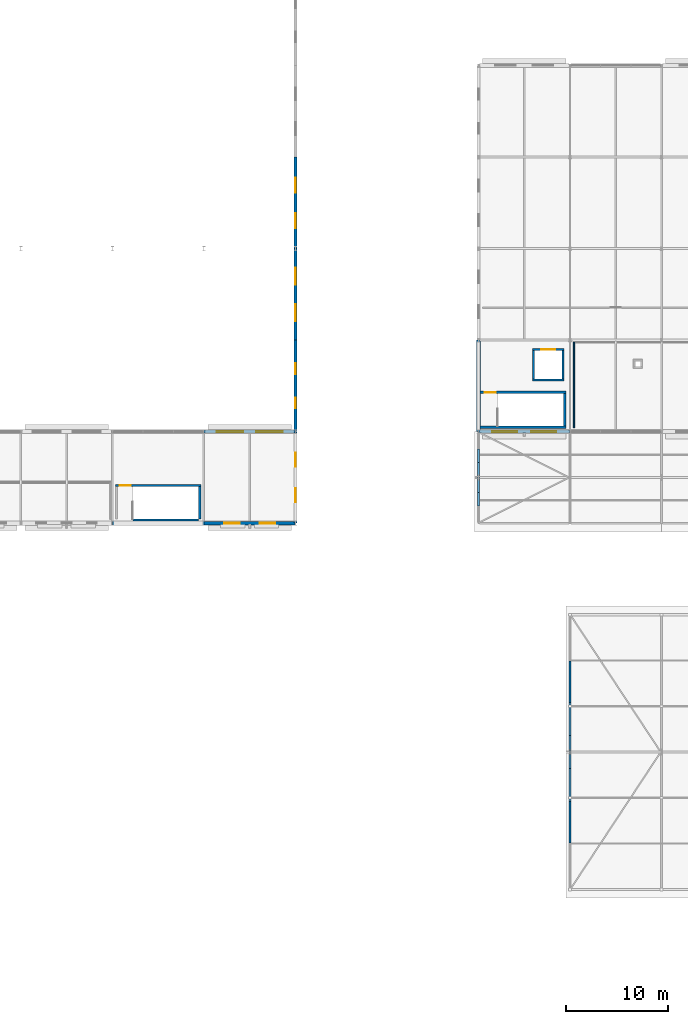
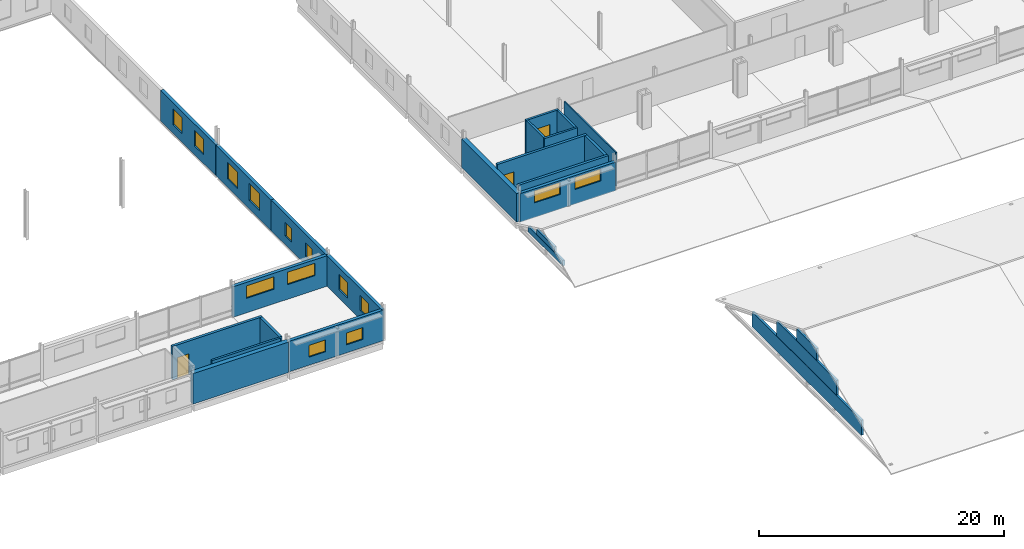
# One storey, part 112 of 132: 25 walls, 14 windows, 3 doors, 17 openings.
"""IFC4 building model written with IfcOpenShell, lengths in metres."""

import ifcopenshell
import ifcopenshell.guid

model = None  # the IFC model being written
_history = None  # IfcOwnerHistory: only IFC2X3 demands one
_inside = {}  # id of a spatial element -> (the spatial element, [elements in it])
_under = {}  # id of a project, library or spatial element -> (it, [spatial elements below it])
_declared = {}  # id of a project -> (the project, [libraries it declares])
_typed = {}  # id of a type object -> (the type object, [elements of that type])
_made_of = {}  # id of a material, layer set ... -> (it, [elements and type objects made of it])


def new_model(schema):
    """Start an empty IFC model of exactly this schema.

    Asked for "IFC4X3", IfcOpenShell would pick the latest addendum, in which some entities
    have other attributes; the version numbers below select the first issue.
    IFC2X3 requires an IfcOwnerHistory on every rooted entity: one is made here for all.
    """
    global model, _history
    if schema == "IFC4X3":
        model = ifcopenshell.file(schema_version=(4, 3, 0, 0))
    else:
        model = ifcopenshell.file(schema=schema)
    _inside.clear()
    _under.clear()
    _declared.clear()
    _typed.clear()
    _made_of.clear()
    _history = None
    if model.schema == "IFC2X3":
        org = make("IfcOrganization", Name="unknown")
        user = make(
            "IfcPersonAndOrganization",
            ThePerson=make("IfcPerson", FamilyName="unknown"),
            TheOrganization=org,
        )
        app = make(
            "IfcApplication",
            ApplicationDeveloper=org,
            Version="unknown",
            ApplicationFullName="unknown",
            ApplicationIdentifier="unknown",
        )
        _history = make(
            "IfcOwnerHistory",
            OwningUser=user,
            OwningApplication=app,
            ChangeAction="ADDED",
            CreationDate=0,
        )
    return model


def make(cls, **values):
    """One entity of the class cls with the attributes given. An attribute that is None is left unset."""
    return model.create_entity(
        cls, **{name: value for name, value in values.items() if value is not None}
    )


def rooted(cls, **values):
    """An entity with a GlobalId (a new one), such as an element, a storey or a relation."""
    return make(cls, GlobalId=ifcopenshell.guid.new(), OwnerHistory=_history, **values)


def si_unit(unit_type, name, prefix=None):
    """IfcSIUnit, for example si_unit("LENGTHUNIT", "METRE", prefix="MILLI")."""
    return make("IfcSIUnit", UnitType=unit_type, Prefix=prefix, Name=name)


def assignment(units):
    """IfcUnitAssignment: the units of a project."""
    return None if units is None else make("IfcUnitAssignment", Units=units)


def point(xyz):
    """IfcCartesianPoint."""
    return None if xyz is None else make("IfcCartesianPoint", Coordinates=xyz)


def direction(xyz):
    """IfcDirection."""
    return None if xyz is None else make("IfcDirection", DirectionRatios=xyz)


def frame(location, z_axis=None, x_axis=None):
    """IfcAxis2Placement3D, a coordinate frame: its origin and axes. An axis left out is left unset."""
    return make(
        "IfcAxis2Placement3D",
        Location=point(location),
        Axis=direction(z_axis),
        RefDirection=direction(x_axis),
    )


def frame_2d(location, x_axis=None):
    """IfcAxis2Placement2D, a coordinate frame in the plane: its origin and x axis."""
    return make(
        "IfcAxis2Placement2D", Location=point(location), RefDirection=direction(x_axis)
    )


def origin():
    """The frame at (0, 0, 0) with its axes left unset."""
    return frame((0.0, 0.0, 0.0))


def place(relative_to, where):
    """IfcLocalPlacement: puts the frame where relative to a parent placement (None: the world)."""
    return make(
        "IfcLocalPlacement", PlacementRelTo=relative_to, RelativePlacement=where
    )


def context(
    kind, dimensions, precision=None, world=None, true_north=None, identifier=None
):
    """IfcGeometricRepresentationContext, for example the 3D "Model" context."""
    return make(
        "IfcGeometricRepresentationContext",
        ContextIdentifier=identifier,
        ContextType=kind,
        CoordinateSpaceDimension=dimensions,
        Precision=precision,
        WorldCoordinateSystem=world,
        TrueNorth=true_north,
    )


def subcontext(parent, identifier, kind, view, scale=None):
    """IfcGeometricRepresentationSubContext, for example "Body" below "Model"."""
    return make(
        "IfcGeometricRepresentationSubContext",
        ContextIdentifier=identifier,
        ContextType=kind,
        ParentContext=parent,
        TargetScale=scale,
        TargetView=view,
    )


def project(units=None, contexts=None):
    """IfcProject with its units and contexts."""
    return rooted(
        "IfcProject",
        Name="project",
        RepresentationContexts=contexts,
        UnitsInContext=assignment(units),
    )


def spatial(cls, under=None, at=None, **own):
    """A site, building, storey or space (cls), placed at a placement, below another one or the project."""
    s = rooted(cls, ObjectPlacement=at, **own)
    if under is not None:
        _under.setdefault(under.id(), (under, []))[1].append(s)
    return s


def profile(cls, at=None, kind="AREA", **sizes):
    """A parametric profile (cls). Its sizes go by their IFC names, for example OverallWidth=200.0."""
    return make(cls, ProfileType=kind, Position=at, **sizes)


def rectangle(**sizes):
    """IfcRectangleProfileDef."""
    return profile("IfcRectangleProfileDef", **sizes)


def extrude(swept, where, along, depth):
    """IfcExtrudedAreaSolid: the profile swept, set in the frame where, extruded along a direction by depth."""
    return make(
        "IfcExtrudedAreaSolid",
        SweptArea=swept,
        Position=where,
        ExtrudedDirection=direction(along),
        Depth=depth,
    )


def shape(context_of_items, identifier, shape_type, items):
    """IfcShapeRepresentation: the items that make up one representation, for example the "Body"."""
    return make(
        "IfcShapeRepresentation",
        ContextOfItems=context_of_items,
        RepresentationIdentifier=identifier,
        RepresentationType=shape_type,
        Items=items,
    )


def material(Name=None, Category=None):
    """IfcMaterial."""
    return make("IfcMaterial", Name=Name, Category=Category)


def layer(
    of_material, thickness, ventilated=None, Name=None, Category=None, Priority=None
):
    """IfcMaterialLayer: one layer of a wall or slab, of a material (None: an air gap)."""
    return make(
        "IfcMaterialLayer",
        Material=of_material,
        LayerThickness=thickness,
        IsVentilated=ventilated,
        Name=Name,
        Category=Category,
        Priority=Priority,
    )


def layer_set(layers, Name=None):
    """IfcMaterialLayerSet."""
    return make("IfcMaterialLayerSet", MaterialLayers=layers, LayerSetName=Name)


def made_of(thing, what):
    """Note that an element or type object is made of a material, layer set ...; save() writes the relation."""
    if what is not None:
        _made_of.setdefault(what.id(), (what, []))[1].append(thing)
    return thing


def type_object(cls, material=None, **own):
    """A type object (cls), such as IfcWallType, which elements share."""
    return made_of(rooted(cls, **own), material)


def element(
    cls,
    number,
    at=None,
    inside=None,
    cuts=None,
    type_object=None,
    material=None,
    context=None,
    identifier="Body",
    shape_type=None,
    held_by="IfcProductDefinitionShape",
    body=None,
    shapes=None,
    **own,
):
    """One element of the class cls, such as IfcWall. Its Tag is "e" and its number.

    at: its placement. inside: the storey or other place that contains it. cuts: it is an
    opening in that element (IfcRelVoidsElement). A single representation is given by context,
    identifier, shape_type and body (its items); several are given by shapes. held_by: the class
    of the entity that holds the representations. save() writes the other relations.
    """
    e = rooted(cls, Tag="e%d" % number, ObjectPlacement=at, **own)
    if body is not None:
        shapes = [shape(context, identifier, shape_type, body)]
    if shapes is not None:
        e.Representation = make(held_by, Representations=shapes)
    if inside is not None:
        _inside.setdefault(inside.id(), (inside, []))[1].append(e)
    if cuts is not None:
        rooted(
            "IfcRelVoidsElement", RelatingBuildingElement=cuts, RelatedOpeningElement=e
        )
    if type_object is not None:
        _typed.setdefault(type_object.id(), (type_object, []))[1].append(e)
    return made_of(e, material)


def fill(opening, filler):
    """IfcRelFillsElement: the door or window that sits in an opening."""
    return rooted(
        "IfcRelFillsElement",
        RelatingOpeningElement=opening,
        RelatedBuildingElement=filler,
    )


def aggregate(whole, parts):
    """IfcRelAggregates: a whole, such as a stair, and the parts it consists of."""
    return rooted("IfcRelAggregates", RelatingObject=whole, RelatedObjects=parts)


def save(model, path):
    """Write the relations noted so far, then the file.

    IfcRelAggregates (storeys below a building ...), IfcRelContainedInSpatialStructure (elements
    in a storey), IfcRelDefinesByType, IfcRelAssociatesMaterial and IfcRelDeclares: one each for
    every whole, place, type object, material and project.
    """
    for whole, parts in _under.values():
        aggregate(whole, parts)
    for where, things in _inside.values():
        rooted(
            "IfcRelContainedInSpatialStructure",
            RelatedElements=things,
            RelatingStructure=where,
        )
    for kind, things in _typed.values():
        rooted("IfcRelDefinesByType", RelatedObjects=things, RelatingType=kind)
    for what, things in _made_of.values():
        rooted("IfcRelAssociatesMaterial", RelatedObjects=things, RelatingMaterial=what)
    for by, libraries in _declared.values():
        rooted("IfcRelDeclares", RelatingContext=by, RelatedDefinitions=libraries)
    model.write(path)


model = new_model("IFC4")

# Units and contexts
model_context = context("Model", 3, precision=1e-05, world=origin(), true_north=direction((0.0, 1.0)))
body_context = subcontext(model_context, "Body", "Model", "MODEL_VIEW")
ifc_project = project(units=[si_unit("LENGTHUNIT", "METRE"), si_unit("AREAUNIT", "SQUARE_METRE"), si_unit("VOLUMEUNIT", "CUBIC_METRE"), si_unit("PLANEANGLEUNIT", "RADIAN"), si_unit("MASSUNIT", "GRAM", prefix="KILO")], contexts=[model_context])

# Site, building, storey
site_placement = place(None, origin())
site = spatial("IfcSite", under=ifc_project, at=site_placement, CompositionType="ELEMENT")
building_placement = place(site_placement, origin())
building = spatial("IfcBuilding", under=site, at=building_placement, Name="Tharagai Park Tramway Depot", CompositionType="ELEMENT")
storey_placement = place(building_placement, frame((0.0, 0.0, 4.800048828125)))
storey = spatial("IfcBuildingStorey", under=building, at=storey_placement, Name="L01", CompositionType="ELEMENT", Elevation=4.800048828125)

# Walls
ifc_material_1 = material(Name="Charnockite stone", Category="masonry")
ifc_layer_1 = layer(ifc_material_1, 0.419921875)
ifc_layer_set_1 = layer_set([ifc_layer_1], Name="Charnockite stone")
wall_type_1 = type_object("IfcWallType", Name="EW-07", PredefinedType="SOLIDWALL", material=ifc_layer_set_1)
wall_1_placement = place(storey_placement, frame((126.00390625, 90.0, 0.0), z_axis=(0.0, 0.0, 1.0), x_axis=(1.0, 0.0, 0.0)))
element("IfcWall", 1, at=wall_1_placement, inside=storey, type_object=wall_type_1, Name="L01 V1 Exterior Masonry Wall EW-07", PredefinedType="SOLIDWALL", context=body_context, shape_type="SweptSolid", body=[
    extrude(rectangle(XDim=8.9921875, YDim=0.419921875, at=frame_2d((4.49609375, 0.0))), origin(), (0.0, 0.0, 1.0), 3.0419921875),
])
wall_2_placement = place(storey_placement, frame((162.0, 99.00390625, 0.0), z_axis=(0.0, 0.0, 1.0), x_axis=(0.0, 1.0, 0.0)))
element("IfcWall", 2, at=wall_2_placement, inside=storey, type_object=wall_type_1, Name="L01 V3 Exterior Masonry Wall EW-07", PredefinedType="SOLIDWALL", context=body_context, shape_type="SweptSolid", body=[
    extrude(rectangle(XDim=8.9921875, YDim=0.419921875, at=frame_2d((4.49609375, 0.0))), origin(), (0.0, 0.0, 1.0), 2.842041015625),
])

# Wall, openings, windows
ifc_material_2 = material(Name="Pressed clay brick", Category="masonry")
ifc_layer_2 = layer(ifc_material_2, 0.300048828125)
ifc_layer_set_2 = layer_set([ifc_layer_2], Name="Pressed clay brick")
wall_type_2 = type_object("IfcWallType", Name="EW-08", PredefinedType="SOLIDWALL", material=ifc_layer_set_2)
wall_3_placement = place(storey_placement, frame((135.00390625, 90.0, 0.0), z_axis=(0.0, 0.0, 1.0), x_axis=(1.0, 0.0, 0.0)))
wall_3 = element("IfcWall", 3, at=wall_3_placement, inside=storey, type_object=wall_type_2, Name="L01 V1 Exterior Masonry Wall EW-08", PredefinedType="SOLIDWALL", context=body_context, shape_type="SweptSolid", body=[
    extrude(rectangle(XDim=8.9921875, YDim=0.300048828125, at=frame_2d((4.49609375, 0.0))), origin(), (0.0, 0.0, 1.0), 3.0419921875),
])
opening_1_placement = place(wall_3_placement, frame((1.970947265625, 0.0, 0.800048828125)))
opening_1 = element("IfcOpeningElement", 4, at=opening_1_placement, cuts=wall_3, Name="Opening WN-07", PredefinedType="OPENING", context=body_context, shape_type="SweptSolid", body=[
    extrude(rectangle(XDim=1.5400390625, YDim=1.179931640625, at=frame_2d((0.77001953125, 0.58984375))), frame((0.0, 0.159912109375, 0.0), z_axis=(0.0, -1.0, 0.0), x_axis=(1.0, 0.0, 0.0)), (0.0, 0.0, 1.0), 0.320068359375),
])
opening_2_placement = place(wall_3_placement, frame((5.48095703125, 0.0, 0.800048828125)))
opening_2 = element("IfcOpeningElement", 5, at=opening_2_placement, cuts=wall_3, Name="Opening WN-07", PredefinedType="OPENING", context=body_context, shape_type="SweptSolid", body=[
    extrude(rectangle(XDim=1.5400390625, YDim=1.179931640625, at=frame_2d((0.77001953125, 0.58984375))), frame((0.0, 0.159912109375, 0.0), z_axis=(0.0, -1.0, 0.0), x_axis=(1.0, 0.0, 0.0)), (0.0, 0.0, 1.0), 0.320068359375),
])
ifc_material_3 = material(Name="Laminated solar-control glass", Category="glass")
window_type_1 = type_object("IfcWindowType", Name="WN-07", PartitioningType="SINGLE_PANEL", PredefinedType="WINDOW", material=ifc_material_3)
window_1_placement = place(opening_1_placement, origin())
window_1 = element("IfcWindow", 6, at=window_1_placement, inside=storey, type_object=window_type_1, Name="L01 V1 Gothic Lancet Window WN-07", OverallHeight=1.179931640625, OverallWidth=1.5400390625, PartitioningType="SINGLE_PANEL", PredefinedType="WINDOW", context=body_context, shape_type="SweptSolid", body=[
    extrude(rectangle(XDim=1.5400390625, YDim=1.179931640625, at=frame_2d((0.77001953125, 0.58984375))), frame((0.0, 0.030029296875, 0.0), z_axis=(0.0, -1.0, 0.0), x_axis=(1.0, 0.0, 0.0)), (0.0, 0.0, 1.0), 0.06005859375),
])
fill(opening_1, window_1)
window_2_placement = place(opening_2_placement, origin())
window_2 = element("IfcWindow", 7, at=window_2_placement, inside=storey, type_object=window_type_1, Name="L01 V1 Gothic Lancet Window WN-07", OverallHeight=1.179931640625, OverallWidth=1.5400390625, PartitioningType="SINGLE_PANEL", PredefinedType="WINDOW", context=body_context, shape_type="SweptSolid", body=[
    extrude(rectangle(XDim=1.5400390625, YDim=1.179931640625, at=frame_2d((0.77001953125, 0.58984375))), frame((0.0, 0.030029296875, 0.0), z_axis=(0.0, -1.0, 0.0), x_axis=(1.0, 0.0, 0.0)), (0.0, 0.0, 1.0), 0.06005859375),
])
fill(opening_2, window_2)

wall_4_placement = place(storey_placement, frame((135.00390625, 99.0, 0.0), z_axis=(0.0, 0.0, 1.0), x_axis=(1.0, 0.0, 0.0)))
wall_4 = element("IfcWall", 8, at=wall_4_placement, inside=storey, type_object=wall_type_2, Name="L01 V1 Exterior Masonry Wall EW-08", PredefinedType="SOLIDWALL", context=body_context, shape_type="SweptSolid", body=[
    extrude(rectangle(XDim=8.9921875, YDim=0.300048828125, at=frame_2d((4.49609375, 0.0))), origin(), (0.0, 0.0, 1.0), 3.0419921875),
])
opening_3_placement = place(wall_4_placement, frame((1.263916015625, 0.0, 1.449951171875)))
opening_3 = element("IfcOpeningElement", 9, at=opening_3_placement, cuts=wall_4, Name="Opening WN-26", PredefinedType="OPENING", context=body_context, shape_type="SweptSolid", body=[
    extrude(rectangle(XDim=2.60009765625, YDim=1.239990234375, at=frame_2d((1.300048828125, 0.6201171875))), frame((0.0, 0.159912109375, 0.0), z_axis=(0.0, -1.0, 0.0), x_axis=(1.0, 0.0, 0.0)), (0.0, 0.0, 1.0), 0.320068359375),
])
opening_4_placement = place(wall_4_placement, frame((5.1279296875, 0.0, 1.449951171875)))
opening_4 = element("IfcOpeningElement", 10, at=opening_4_placement, cuts=wall_4, Name="Opening WN-26", PredefinedType="OPENING", context=body_context, shape_type="SweptSolid", body=[
    extrude(rectangle(XDim=2.60009765625, YDim=1.239990234375, at=frame_2d((1.300048828125, 0.6201171875))), frame((0.0, 0.159912109375, 0.0), z_axis=(0.0, -1.0, 0.0), x_axis=(1.0, 0.0, 0.0)), (0.0, 0.0, 1.0), 0.320068359375),
])
window_type_2 = type_object("IfcWindowType", Name="WN-26", PartitioningType="SINGLE_PANEL", PredefinedType="WINDOW", material=ifc_material_3)
window_3_placement = place(opening_3_placement, origin())
window_3 = element("IfcWindow", 11, at=window_3_placement, inside=storey, type_object=window_type_2, Name="L01 V1 Gothic Lancet Window WN-26", OverallHeight=1.239990234375, OverallWidth=2.60009765625, PartitioningType="SINGLE_PANEL", PredefinedType="WINDOW", context=body_context, shape_type="SweptSolid", body=[
    extrude(rectangle(XDim=2.60009765625, YDim=1.239990234375, at=frame_2d((1.300048828125, 0.6201171875))), frame((0.0, 0.030029296875, 0.0), z_axis=(0.0, -1.0, 0.0), x_axis=(1.0, 0.0, 0.0)), (0.0, 0.0, 1.0), 0.06005859375),
])
fill(opening_3, window_3)
window_4_placement = place(opening_4_placement, origin())
window_4 = element("IfcWindow", 12, at=window_4_placement, inside=storey, type_object=window_type_2, Name="L01 V1 Gothic Lancet Window WN-26", OverallHeight=1.239990234375, OverallWidth=2.60009765625, PartitioningType="SINGLE_PANEL", PredefinedType="WINDOW", context=body_context, shape_type="SweptSolid", body=[
    extrude(rectangle(XDim=2.60009765625, YDim=1.239990234375, at=frame_2d((1.300048828125, 0.6201171875))), frame((0.0, 0.030029296875, 0.0), z_axis=(0.0, -1.0, 0.0), x_axis=(1.0, 0.0, 0.0)), (0.0, 0.0, 1.0), 0.06005859375),
])
fill(opening_4, window_4)

wall_5_placement = place(storey_placement, frame((162.00390625, 99.0, 0.0), z_axis=(0.0, 0.0, 1.0), x_axis=(1.0, 0.0, 0.0)))
wall_5 = element("IfcWall", 13, at=wall_5_placement, inside=storey, type_object=wall_type_2, Name="L01 V3 Exterior Masonry Wall EW-08", PredefinedType="SOLIDWALL", context=body_context, shape_type="SweptSolid", body=[
    extrude(rectangle(XDim=8.9921875, YDim=0.300048828125, at=frame_2d((4.49609375, 0.0))), origin(), (0.0, 0.0, 1.0), 2.842041015625),
])
opening_5_placement = place(wall_5_placement, frame((1.364013671875, 0.0, 1.449951171875)))
opening_5 = element("IfcOpeningElement", 14, at=opening_5_placement, cuts=wall_5, Name="Opening WN-02", PredefinedType="OPENING", context=body_context, shape_type="SweptSolid", body=[
    extrude(rectangle(XDim=2.449951171875, YDim=1.199951171875, at=frame_2d((1.22509765625, 0.60009765625))), frame((0.0, 0.159912109375, 0.0), z_axis=(0.0, -1.0, 0.0), x_axis=(1.0, 0.0, 0.0)), (0.0, 0.0, 1.0), 0.320068359375),
])
opening_6_placement = place(wall_5_placement, frame((5.177978515625, 0.0, 1.449951171875)))
opening_6 = element("IfcOpeningElement", 15, at=opening_6_placement, cuts=wall_5, Name="Opening WN-02", PredefinedType="OPENING", context=body_context, shape_type="SweptSolid", body=[
    extrude(rectangle(XDim=2.449951171875, YDim=1.199951171875, at=frame_2d((1.22509765625, 0.60009765625))), frame((0.0, 0.159912109375, 0.0), z_axis=(0.0, -1.0, 0.0), x_axis=(1.0, 0.0, 0.0)), (0.0, 0.0, 1.0), 0.320068359375),
])
window_type_3 = type_object("IfcWindowType", Name="WN-02", PartitioningType="SINGLE_PANEL", PredefinedType="WINDOW", material=ifc_material_3)
window_5_placement = place(opening_5_placement, origin())
window_5 = element("IfcWindow", 16, at=window_5_placement, inside=storey, type_object=window_type_3, Name="L01 V3 Gothic Lancet Window WN-02", OverallHeight=1.199951171875, OverallWidth=2.449951171875, PartitioningType="SINGLE_PANEL", PredefinedType="WINDOW", context=body_context, shape_type="SweptSolid", body=[
    extrude(rectangle(XDim=2.449951171875, YDim=1.199951171875, at=frame_2d((1.22509765625, 0.60009765625))), frame((0.0, 0.030029296875, 0.0), z_axis=(0.0, -1.0, 0.0), x_axis=(1.0, 0.0, 0.0)), (0.0, 0.0, 1.0), 0.06005859375),
])
fill(opening_5, window_5)
window_6_placement = place(opening_6_placement, origin())
window_6 = element("IfcWindow", 17, at=window_6_placement, inside=storey, type_object=window_type_3, Name="L01 V3 Gothic Lancet Window WN-02", OverallHeight=1.199951171875, OverallWidth=2.449951171875, PartitioningType="SINGLE_PANEL", PredefinedType="WINDOW", context=body_context, shape_type="SweptSolid", body=[
    extrude(rectangle(XDim=2.449951171875, YDim=1.199951171875, at=frame_2d((1.22509765625, 0.60009765625))), frame((0.0, 0.030029296875, 0.0), z_axis=(0.0, -1.0, 0.0), x_axis=(1.0, 0.0, 0.0)), (0.0, 0.0, 1.0), 0.06005859375),
])
fill(opening_6, window_6)

wall_6_placement = place(storey_placement, frame((144.0, 90.00390625, 0.0), z_axis=(0.0, 0.0, 1.0), x_axis=(0.0, 1.0, 0.0)))
wall_6 = element("IfcWall", 18, at=wall_6_placement, inside=storey, type_object=wall_type_2, Name="L01 V1 Exterior Masonry Wall EW-08", PredefinedType="SOLIDWALL", context=body_context, shape_type="SweptSolid", body=[
    extrude(rectangle(XDim=8.9921875, YDim=0.300048828125, at=frame_2d((4.49609375, 0.0))), origin(), (0.0, 0.0, 1.0), 3.0419921875),
])
opening_7_placement = place(wall_6_placement, frame((2.076904296875, 0.0, 0.85009765625)))
opening_7 = element("IfcOpeningElement", 19, at=opening_7_placement, cuts=wall_6, Name="Opening WN-12", PredefinedType="OPENING", context=body_context, shape_type="SweptSolid", body=[
    extrude(rectangle(XDim=1.3798828125, YDim=1.52001953125, at=frame_2d((0.68994140625, 0.760009765625))), frame((0.0, 0.159912109375, 0.0), z_axis=(0.0, -1.0, 0.0), x_axis=(1.0, 0.0, 0.0)), (0.0, 0.0, 1.0), 0.320068359375),
])
opening_8_placement = place(wall_6_placement, frame((5.534912109375, 0.0, 0.85009765625)))
opening_8 = element("IfcOpeningElement", 20, at=opening_8_placement, cuts=wall_6, Name="Opening WN-12", PredefinedType="OPENING", context=body_context, shape_type="SweptSolid", body=[
    extrude(rectangle(XDim=1.3798828125, YDim=1.52001953125, at=frame_2d((0.68994140625, 0.760009765625))), frame((0.0, 0.159912109375, 0.0), z_axis=(0.0, -1.0, 0.0), x_axis=(1.0, 0.0, 0.0)), (0.0, 0.0, 1.0), 0.320068359375),
])
window_type_4 = type_object("IfcWindowType", Name="WN-12", PartitioningType="SINGLE_PANEL", PredefinedType="WINDOW", material=ifc_material_3)
window_7_placement = place(opening_7_placement, origin())
window_7 = element("IfcWindow", 21, at=window_7_placement, inside=storey, type_object=window_type_4, Name="L01 V1 Side Lancet Window WN-12", OverallHeight=1.52001953125, OverallWidth=1.3798828125, PartitioningType="SINGLE_PANEL", PredefinedType="WINDOW", context=body_context, shape_type="SweptSolid", body=[
    extrude(rectangle(XDim=1.3798828125, YDim=1.52001953125, at=frame_2d((0.68994140625, 0.760009765625))), frame((0.0, 0.030029296875, 0.0), z_axis=(0.0, -1.0, 0.0), x_axis=(1.0, 0.0, 0.0)), (0.0, 0.0, 1.0), 0.06005859375),
])
fill(opening_7, window_7)
window_8_placement = place(opening_8_placement, origin())
window_8 = element("IfcWindow", 22, at=window_8_placement, inside=storey, type_object=window_type_4, Name="L01 V1 Side Lancet Window WN-12", OverallHeight=1.52001953125, OverallWidth=1.3798828125, PartitioningType="SINGLE_PANEL", PredefinedType="WINDOW", context=body_context, shape_type="SweptSolid", body=[
    extrude(rectangle(XDim=1.3798828125, YDim=1.52001953125, at=frame_2d((0.68994140625, 0.760009765625))), frame((0.0, 0.030029296875, 0.0), z_axis=(0.0, -1.0, 0.0), x_axis=(1.0, 0.0, 0.0)), (0.0, 0.0, 1.0), 0.06005859375),
])
fill(opening_8, window_8)

wall_7_placement = place(storey_placement, frame((144.0, 99.00390625, 0.0), z_axis=(0.0, 0.0, 1.0), x_axis=(0.0, 1.0, 0.0)))
wall_7 = element("IfcWall", 23, at=wall_7_placement, inside=storey, type_object=wall_type_2, Name="L01 V1 Exterior Masonry Wall EW-08", PredefinedType="SOLIDWALL", context=body_context, shape_type="SweptSolid", body=[
    extrude(rectangle(XDim=8.99609375, YDim=0.300048828125, at=frame_2d((4.498046875, 0.0))), origin(), (0.0, 0.0, 1.0), 3.0419921875),
])
opening_9_placement = place(wall_7_placement, frame((2.2919921875, 0.0, 0.85009765625)))
opening_9 = element("IfcOpeningElement", 24, at=opening_9_placement, cuts=wall_7, Name="Opening WN-54", PredefinedType="OPENING", context=body_context, shape_type="SweptSolid", body=[
    extrude(rectangle(XDim=1.06005859375, YDim=1.35009765625, at=frame_2d((0.530029296875, 0.675048828125))), frame((0.0, 0.159912109375, 0.0), z_axis=(0.0, -1.0, 0.0), x_axis=(1.0, 0.0, 0.0)), (0.0, 0.0, 1.0), 0.320068359375),
])
opening_10_placement = place(wall_7_placement, frame((5.64404296875, 0.0, 0.85009765625)))
opening_10 = element("IfcOpeningElement", 25, at=opening_10_placement, cuts=wall_7, Name="Opening WN-54", PredefinedType="OPENING", context=body_context, shape_type="SweptSolid", body=[
    extrude(rectangle(XDim=1.06005859375, YDim=1.35009765625, at=frame_2d((0.530029296875, 0.675048828125))), frame((0.0, 0.159912109375, 0.0), z_axis=(0.0, -1.0, 0.0), x_axis=(1.0, 0.0, 0.0)), (0.0, 0.0, 1.0), 0.320068359375),
])
window_type_5 = type_object("IfcWindowType", Name="WN-54", PartitioningType="SINGLE_PANEL", PredefinedType="WINDOW", material=ifc_material_3)
window_9_placement = place(opening_9_placement, origin())
window_9 = element("IfcWindow", 26, at=window_9_placement, inside=storey, type_object=window_type_5, Name="L01 V1 Side Lancet Window WN-54", OverallHeight=1.35009765625, OverallWidth=1.06005859375, PartitioningType="SINGLE_PANEL", PredefinedType="WINDOW", context=body_context, shape_type="SweptSolid", body=[
    extrude(rectangle(XDim=1.06005859375, YDim=1.35009765625, at=frame_2d((0.530029296875, 0.675048828125))), frame((0.0, 0.030029296875, 0.0), z_axis=(0.0, -1.0, 0.0), x_axis=(1.0, 0.0, 0.0)), (0.0, 0.0, 1.0), 0.06005859375),
])
fill(opening_9, window_9)
window_10_placement = place(opening_10_placement, origin())
window_10 = element("IfcWindow", 27, at=window_10_placement, inside=storey, type_object=window_type_5, Name="L01 V1 Side Lancet Window WN-54", OverallHeight=1.35009765625, OverallWidth=1.06005859375, PartitioningType="SINGLE_PANEL", PredefinedType="WINDOW", context=body_context, shape_type="SweptSolid", body=[
    extrude(rectangle(XDim=1.06005859375, YDim=1.35009765625, at=frame_2d((0.530029296875, 0.675048828125))), frame((0.0, 0.030029296875, 0.0), z_axis=(0.0, -1.0, 0.0), x_axis=(1.0, 0.0, 0.0)), (0.0, 0.0, 1.0), 0.06005859375),
])
fill(opening_10, window_10)

wall_8_placement = place(storey_placement, frame((144.0, 108.0, 0.0), z_axis=(0.0, 0.0, 1.0), x_axis=(0.0, 1.0, 0.0)))
wall_8 = element("IfcWall", 28, at=wall_8_placement, inside=storey, type_object=wall_type_2, Name="L01 V1 Exterior Masonry Wall EW-08", PredefinedType="SOLIDWALL", context=body_context, shape_type="SweptSolid", body=[
    extrude(rectangle(XDim=8.99609375, YDim=0.300048828125, at=frame_2d((4.498046875, 0.0))), origin(), (0.0, 0.0, 1.0), 3.0419921875),
])
opening_11_placement = place(wall_8_placement, frame((1.87890625, 0.0, 0.85009765625)))
opening_11 = element("IfcOpeningElement", 29, at=opening_11_placement, cuts=wall_8, Name="Opening WN-38", PredefinedType="OPENING", context=body_context, shape_type="SweptSolid", body=[
    extrude(rectangle(XDim=1.679931640625, YDim=1.659912109375, at=frame_2d((0.83984375, 0.830078125))), frame((0.0, 0.159912109375, 0.0), z_axis=(0.0, -1.0, 0.0), x_axis=(1.0, 0.0, 0.0)), (0.0, 0.0, 1.0), 0.320068359375),
])
opening_12_placement = place(wall_8_placement, frame((5.43701171875, 0.0, 0.85009765625)))
opening_12 = element("IfcOpeningElement", 30, at=opening_12_placement, cuts=wall_8, Name="Opening WN-38", PredefinedType="OPENING", context=body_context, shape_type="SweptSolid", body=[
    extrude(rectangle(XDim=1.679931640625, YDim=1.659912109375, at=frame_2d((0.83984375, 0.830078125))), frame((0.0, 0.159912109375, 0.0), z_axis=(0.0, -1.0, 0.0), x_axis=(1.0, 0.0, 0.0)), (0.0, 0.0, 1.0), 0.320068359375),
])
window_type_6 = type_object("IfcWindowType", Name="WN-38", PartitioningType="SINGLE_PANEL", PredefinedType="WINDOW", material=ifc_material_3)
window_11_placement = place(opening_11_placement, origin())
window_11 = element("IfcWindow", 31, at=window_11_placement, inside=storey, type_object=window_type_6, Name="L01 V1 Side Lancet Window WN-38", OverallHeight=1.659912109375, OverallWidth=1.679931640625, PartitioningType="SINGLE_PANEL", PredefinedType="WINDOW", context=body_context, shape_type="SweptSolid", body=[
    extrude(rectangle(XDim=1.679931640625, YDim=1.659912109375, at=frame_2d((0.83984375, 0.830078125))), frame((0.0, 0.030029296875, 0.0), z_axis=(0.0, -1.0, 0.0), x_axis=(1.0, 0.0, 0.0)), (0.0, 0.0, 1.0), 0.06005859375),
])
fill(opening_11, window_11)
window_12_placement = place(opening_12_placement, origin())
window_12 = element("IfcWindow", 32, at=window_12_placement, inside=storey, type_object=window_type_6, Name="L01 V1 Side Lancet Window WN-38", OverallHeight=1.659912109375, OverallWidth=1.679931640625, PartitioningType="SINGLE_PANEL", PredefinedType="WINDOW", context=body_context, shape_type="SweptSolid", body=[
    extrude(rectangle(XDim=1.679931640625, YDim=1.659912109375, at=frame_2d((0.83984375, 0.830078125))), frame((0.0, 0.030029296875, 0.0), z_axis=(0.0, -1.0, 0.0), x_axis=(1.0, 0.0, 0.0)), (0.0, 0.0, 1.0), 0.06005859375),
])
fill(opening_12, window_12)

wall_9_placement = place(storey_placement, frame((144.0, 117.00390625, 0.0), z_axis=(0.0, 0.0, 1.0), x_axis=(0.0, 1.0, 0.0)))
wall_9 = element("IfcWall", 33, at=wall_9_placement, inside=storey, type_object=wall_type_2, Name="L01 V1 Exterior Masonry Wall EW-08", PredefinedType="SOLIDWALL", context=body_context, shape_type="SweptSolid", body=[
    extrude(rectangle(XDim=8.99609375, YDim=0.300048828125, at=frame_2d((4.498046875, 0.0))), origin(), (0.0, 0.0, 1.0), 3.0419921875),
])
opening_13_placement = place(wall_9_placement, frame((2.011962890625, 0.0, 0.85009765625)))
opening_13 = element("IfcOpeningElement", 34, at=opening_13_placement, cuts=wall_9, Name="Opening WN-03", PredefinedType="OPENING", context=body_context, shape_type="SweptSolid", body=[
    extrude(rectangle(XDim=1.47998046875, YDim=1.56005859375, at=frame_2d((0.739990234375, 0.780029296875))), frame((0.0, 0.159912109375, 0.0), z_axis=(0.0, -1.0, 0.0), x_axis=(1.0, 0.0, 0.0)), (0.0, 0.0, 1.0), 0.320068359375),
])
opening_14_placement = place(wall_9_placement, frame((5.50390625, 0.0, 0.85009765625)))
opening_14 = element("IfcOpeningElement", 35, at=opening_14_placement, cuts=wall_9, Name="Opening WN-03", PredefinedType="OPENING", context=body_context, shape_type="SweptSolid", body=[
    extrude(rectangle(XDim=1.47998046875, YDim=1.56005859375, at=frame_2d((0.739990234375, 0.780029296875))), frame((0.0, 0.159912109375, 0.0), z_axis=(0.0, -1.0, 0.0), x_axis=(1.0, 0.0, 0.0)), (0.0, 0.0, 1.0), 0.320068359375),
])
window_type_7 = type_object("IfcWindowType", Name="WN-03", PartitioningType="SINGLE_PANEL", PredefinedType="WINDOW", material=ifc_material_3)
window_13_placement = place(opening_13_placement, origin())
window_13 = element("IfcWindow", 36, at=window_13_placement, inside=storey, type_object=window_type_7, Name="L01 V1 Side Lancet Window WN-03", OverallHeight=1.56005859375, OverallWidth=1.47998046875, PartitioningType="SINGLE_PANEL", PredefinedType="WINDOW", context=body_context, shape_type="SweptSolid", body=[
    extrude(rectangle(XDim=1.47998046875, YDim=1.56005859375, at=frame_2d((0.739990234375, 0.780029296875))), frame((0.0, 0.030029296875, 0.0), z_axis=(0.0, -1.0, 0.0), x_axis=(1.0, 0.0, 0.0)), (0.0, 0.0, 1.0), 0.06005859375),
])
fill(opening_13, window_13)
window_14_placement = place(opening_14_placement, origin())
window_14 = element("IfcWindow", 37, at=window_14_placement, inside=storey, type_object=window_type_7, Name="L01 V1 Side Lancet Window WN-03", OverallHeight=1.56005859375, OverallWidth=1.47998046875, PartitioningType="SINGLE_PANEL", PredefinedType="WINDOW", context=body_context, shape_type="SweptSolid", body=[
    extrude(rectangle(XDim=1.47998046875, YDim=1.56005859375, at=frame_2d((0.739990234375, 0.780029296875))), frame((0.0, 0.030029296875, 0.0), z_axis=(0.0, -1.0, 0.0), x_axis=(1.0, 0.0, 0.0)), (0.0, 0.0, 1.0), 0.06005859375),
])
fill(opening_14, window_14)

# Walls
ifc_material_4 = material(Name="Gypsum board", Category="gypsum")
ifc_layer_3 = layer(ifc_material_4, 0.1201171875)
ifc_layer_set_3 = layer_set([ifc_layer_3], Name="Gypsum board")
wall_type_3 = type_object("IfcWallType", Name="IW-03", PredefinedType="PARTITIONING", material=ifc_layer_set_3)
wall_10_placement = place(storey_placement, frame((171.39990234375, 99.39990234375, 0.0), z_axis=(0.0, 0.0, 1.0), x_axis=(0.0, 1.0, 0.0)))
element("IfcWall", 38, at=wall_10_placement, inside=storey, type_object=wall_type_3, Name="Ultrafiltration and Reverse Osmosis Hall Partition West", PredefinedType="PARTITIONING", context=body_context, shape_type="SweptSolid", body=[
    extrude(rectangle(XDim=8.400146484375, YDim=0.1201171875, at=frame_2d((4.2001953125, 0.0))), origin(), (0.0, 0.0, 1.0), 3.349853515625),
])
ifc_layer_4 = layer(ifc_material_1, 0.199951171875)
ifc_layer_set_4 = layer_set([ifc_layer_4], Name="Charnockite stone")
wall_type_4 = type_object("IfcWallType", Name="PRW-01", PredefinedType="PARAPET", material=ifc_layer_set_4)
wall_11_placement = place(storey_placement, frame((162.0, 91.68994140625, 0.035888671875), z_axis=(0.0, 0.0, 1.0), x_axis=(0.0, 1.0, 0.0)))
element("IfcWall", 39, at=wall_11_placement, inside=storey, type_object=wall_type_4, Name="V3A Gothic Gable Tympanum Parapet Course 1", PredefinedType="PARAPET", context=body_context, shape_type="SweptSolid", body=[
    extrude(rectangle(XDim=5.6201171875, YDim=0.199951171875, at=frame_2d((2.81005859375, 0.0))), origin(), (0.0, 0.0, 1.0), 0.5390625),
])
wall_12_placement = place(storey_placement, frame((162.0, 93.0400390625, 0.593017578125), z_axis=(0.0, 0.0, 1.0), x_axis=(0.0, 1.0, 0.0)))
element("IfcWall", 40, at=wall_12_placement, inside=storey, type_object=wall_type_4, Name="V3A Gothic Gable Tympanum Parapet Course 2", PredefinedType="PARAPET", context=body_context, shape_type="SweptSolid", body=[
    extrude(rectangle(XDim=2.919921875, YDim=0.199951171875, at=frame_2d((1.4599609375, 0.0))), origin(), (0.0, 0.0, 1.0), 0.52197265625),
])
wall_13_placement = place(storey_placement, frame((171.0, 58.570068359375, 0.099853515625), z_axis=(0.0, 0.0, 1.0), x_axis=(0.0, 1.0, 0.0)))
element("IfcWall", 41, at=wall_13_placement, inside=storey, type_object=wall_type_4, Name="V6 Gothic Gable Tympanum Parapet Course 1", PredefinedType="PARAPET", context=body_context, shape_type="SweptSolid", body=[
    extrude(rectangle(XDim=17.85986328125, YDim=0.199951171875, at=frame_2d((8.929931640625, 0.0))), origin(), (0.0, 0.0, 1.0), 1.506103515625),
])
wall_14_placement = place(storey_placement, frame((171.0, 62.6201171875, 1.656005859375), z_axis=(0.0, 0.0, 1.0), x_axis=(0.0, 1.0, 0.0)))
element("IfcWall", 42, at=wall_14_placement, inside=storey, type_object=wall_type_4, Name="V6 Gothic Gable Tympanum Parapet Course 2", PredefinedType="PARAPET", context=body_context, shape_type="SweptSolid", body=[
    extrude(rectangle(XDim=9.759765625, YDim=0.199951171875, at=frame_2d((4.8798828125, 0.0))), origin(), (0.0, 0.0, 1.0), 1.454833984375),
])
wall_15_placement = place(storey_placement, frame((171.0, 65.860107421875, 3.160888671875), z_axis=(0.0, 0.0, 1.0), x_axis=(0.0, 1.0, 0.0)))
element("IfcWall", 43, at=wall_15_placement, inside=storey, type_object=wall_type_4, Name="V6 Gothic Gable Tympanum Parapet Course 3", PredefinedType="PARAPET", context=body_context, shape_type="SweptSolid", body=[
    extrude(rectangle(XDim=3.27978515625, YDim=0.199951171875, at=frame_2d((1.639892578125, 0.0))), origin(), (0.0, 0.0, 1.0), 1.154052734375),
])

# Wall, opening, door
ifc_material_5 = material(Name="Concrete M40", Category="concrete")
ifc_layer_5 = layer(ifc_material_5, 0.239990234375)
ifc_layer_set_5 = layer_set([ifc_layer_5], Name="Concrete M40")
wall_type_5 = type_object("IfcWallType", Name="SW-01", PredefinedType="SHEAR", material=ifc_layer_set_5)
wall_16_placement = place(storey_placement, frame((126.280029296875, 93.7099609375, 0.0), z_axis=(0.0, 0.0, 1.0), x_axis=(1.0, 0.0, 0.0)))
wall_16 = element("IfcWall", 44, at=wall_16_placement, inside=storey, type_object=wall_type_5, Name="Core C11 L01 Shear Wall North", PredefinedType="SHEAR", context=body_context, shape_type="SweptSolid", body=[
    extrude(rectangle(XDim=8.43994140625, YDim=0.239990234375, at=frame_2d((4.219970703125, 0.0))), origin(), (0.0, 0.0, 1.0), 3.349853515625),
])
opening_15_placement = place(wall_16_placement, frame((0.4599609375, 0.0, 0.0)))
opening_15 = element("IfcOpeningElement", 45, at=opening_15_placement, cuts=wall_16, Name="Opening ID-05", PredefinedType="OPENING", context=body_context, shape_type="SweptSolid", body=[
    extrude(rectangle(XDim=1.080078125, YDim=2.080078125, at=frame_2d((0.5400390625, 1.0400390625))), frame((0.0, 0.1298828125, 0.0), z_axis=(0.0, -1.0, 0.0), x_axis=(1.0, 0.0, 0.0)), (0.0, 0.0, 1.0), 0.260009765625),
])
ifc_material_6 = material(Name="Galvanised steel", Category="steel")
door_type_1 = type_object("IfcDoorType", Name="ID-05", OperationType="NOTDEFINED", PredefinedType="DOOR", material=ifc_material_6)
door_1_placement = place(opening_15_placement, frame((1.080078125, 0.0, 0.0), z_axis=(0.0, 0.0, 1.0), x_axis=(-1.0, 0.0, 0.0)))
door_1 = element("IfcDoor", 46, at=door_1_placement, inside=storey, type_object=door_type_1, Name="Stair ST-11 L01 Fire Door", OperationType="SINGLE_SWING_RIGHT", OverallHeight=2.080078125, OverallWidth=1.080078125, PredefinedType="DOOR", context=body_context, shape_type="SweptSolid", body=[
    extrude(rectangle(XDim=1.080078125, YDim=2.080078125, at=frame_2d((0.5400390625, 1.0400390625))), frame((0.0, 0.02490234375, 0.0), z_axis=(0.0, -1.0, 0.0), x_axis=(1.0, 0.0, 0.0)), (0.0, 0.0, 1.0), 0.050048828125),
])
fill(opening_15, door_1)

# Walls
wall_17_placement = place(storey_placement, frame((134.60009765625, 90.39990234375, 0.0), z_axis=(0.0, 0.0, 1.0), x_axis=(0.0, 1.0, 0.0)))
element("IfcWall", 47, at=wall_17_placement, inside=storey, type_object=wall_type_5, Name="Core C11 L01 Shear Wall East", PredefinedType="SHEAR", context=body_context, shape_type="SweptSolid", body=[
    extrude(rectangle(XDim=3.190185546875, YDim=0.239990234375, at=frame_2d((1.59521484375, 0.0))), origin(), (0.0, 0.0, 1.0), 3.349853515625),
])
wall_18_placement = place(storey_placement, frame((162.159912109375, 99.429931640625, 0.0), z_axis=(0.0, 0.0, 1.0), x_axis=(1.0, 0.0, 0.0)))
element("IfcWall", 48, at=wall_18_placement, inside=storey, type_object=wall_type_5, Name="Core C12 L01 Shear Wall South", PredefinedType="SHEAR", context=body_context, shape_type="SweptSolid", body=[
    extrude(rectangle(XDim=8.440185546875, YDim=0.239990234375, at=frame_2d((4.22021484375, 0.0))), origin(), (0.0, 0.0, 1.0), 3.349853515625),
])

# Wall, opening, door
wall_19_placement = place(storey_placement, frame((162.159912109375, 102.860107421875, 0.0), z_axis=(0.0, 0.0, 1.0), x_axis=(1.0, 0.0, 0.0)))
wall_19 = element("IfcWall", 49, at=wall_19_placement, inside=storey, type_object=wall_type_5, Name="Core C12 L01 Shear Wall North", PredefinedType="SHEAR", context=body_context, shape_type="SweptSolid", body=[
    extrude(rectangle(XDim=8.440185546875, YDim=0.239990234375, at=frame_2d((4.22021484375, 0.0))), origin(), (0.0, 0.0, 1.0), 3.349853515625),
])
opening_16_placement = place(wall_19_placement, frame((0.4599609375, 0.0, 0.0)))
opening_16 = element("IfcOpeningElement", 50, at=opening_16_placement, cuts=wall_19, Name="Opening ID-05", PredefinedType="OPENING", context=body_context, shape_type="SweptSolid", body=[
    extrude(rectangle(XDim=1.080078125, YDim=2.080078125, at=frame_2d((0.5400390625, 1.0400390625))), frame((0.0, 0.1298828125, 0.0), z_axis=(0.0, -1.0, 0.0), x_axis=(1.0, 0.0, 0.0)), (0.0, 0.0, 1.0), 0.260009765625),
])
door_2_placement = place(opening_16_placement, frame((1.080078125, 0.0, 0.0), z_axis=(0.0, 0.0, 1.0), x_axis=(-1.0, 0.0, 0.0)))
door_2 = element("IfcDoor", 51, at=door_2_placement, inside=storey, type_object=door_type_1, Name="Stair ST-12 L01 Fire Door", OperationType="SINGLE_SWING_RIGHT", OverallHeight=2.080078125, OverallWidth=1.080078125, PredefinedType="DOOR", context=body_context, shape_type="SweptSolid", body=[
    extrude(rectangle(XDim=1.080078125, YDim=2.080078125, at=frame_2d((0.5400390625, 1.0400390625))), frame((0.0, 0.02490234375, 0.0), z_axis=(0.0, -1.0, 0.0), x_axis=(1.0, 0.0, 0.0)), (0.0, 0.0, 1.0), 0.050048828125),
])
fill(opening_16, door_2)

# Walls
wall_20_placement = place(storey_placement, frame((170.47998046875, 99.550048828125, 0.0), z_axis=(0.0, 0.0, 1.0), x_axis=(0.0, 1.0, 0.0)))
element("IfcWall", 52, at=wall_20_placement, inside=storey, type_object=wall_type_5, Name="Core C12 L01 Shear Wall East", PredefinedType="SHEAR", context=body_context, shape_type="SweptSolid", body=[
    extrude(rectangle(XDim=3.18994140625, YDim=0.239990234375, at=frame_2d((1.594970703125, 0.0))), origin(), (0.0, 0.0, 1.0), 3.349853515625),
])
ifc_layer_6 = layer(ifc_material_5, 0.199951171875)
ifc_layer_set_6 = layer_set([ifc_layer_6], Name="Concrete M40")
wall_type_6 = type_object("IfcWallType", Name="SW-02", PredefinedType="SHEAR", material=ifc_layer_set_6)
wall_21_placement = place(storey_placement, frame((128.0400390625, 90.31494140625, 0.0), z_axis=(0.0, 0.0, 1.0), x_axis=(1.0, 0.0, 0.0)))
element("IfcWall", 53, at=wall_21_placement, inside=storey, type_object=wall_type_6, Name="Core C11 L01 Shear Bearing Liner South", PredefinedType="SHEAR", context=body_context, shape_type="SweptSolid", body=[
    extrude(rectangle(XDim=6.43994140625, YDim=0.199951171875, at=frame_2d((3.219970703125, 0.0))), origin(), (0.0, 0.0, 1.0), 3.349853515625),
])
wall_22_placement = place(storey_placement, frame((167.300048828125, 104.10009765625, 0.0), z_axis=(0.0, 0.0, 1.0), x_axis=(1.0, 0.0, 0.0)))
element("IfcWall", 54, at=wall_22_placement, inside=storey, type_object=wall_type_6, Name="Lift LG-02 L01 Shaft Wall South", PredefinedType="SHEAR", context=body_context, shape_type="SweptSolid", body=[
    extrude(rectangle(XDim=3.099853515625, YDim=0.199951171875, at=frame_2d((1.5498046875, 0.0))), origin(), (0.0, 0.0, 1.0), 3.349853515625),
])

# Wall, opening, door
wall_23_placement = place(storey_placement, frame((167.300048828125, 107.10009765625, 0.0), z_axis=(0.0, 0.0, 1.0), x_axis=(1.0, 0.0, 0.0)))
wall_23 = element("IfcWall", 55, at=wall_23_placement, inside=storey, type_object=wall_type_6, Name="Lift LG-02 L01 Shaft Wall North", PredefinedType="SHEAR", context=body_context, shape_type="SweptSolid", body=[
    extrude(rectangle(XDim=3.099853515625, YDim=0.199951171875, at=frame_2d((1.5498046875, 0.0))), origin(), (0.0, 0.0, 1.0), 3.349853515625),
])
opening_17_placement = place(wall_23_placement, frame((0.85009765625, 0.0, 0.0)))
opening_17 = element("IfcOpeningElement", 56, at=opening_17_placement, cuts=wall_23, Name="Opening LD-01", PredefinedType="OPENING", context=body_context, shape_type="SweptSolid", body=[
    extrude(rectangle(XDim=1.39990234375, YDim=2.14990234375, at=frame_2d((0.699951171875, 1.074951171875))), frame((0.0, 0.10986328125, 0.0), z_axis=(0.0, -1.0, 0.0), x_axis=(1.0, 0.0, 0.0)), (0.0, 0.0, 1.0), 0.219970703125),
])
door_type_2 = type_object("IfcDoorType", Name="LD-01", OperationType="DOUBLE_DOOR_SLIDING", PredefinedType="DOOR", material=ifc_material_6)
door_3_placement = place(opening_17_placement, origin())
door_3 = element("IfcDoor", 57, at=door_3_placement, inside=storey, type_object=door_type_2, Name="Lift LG-02 L01 Sliding Landing Door", OperationType="DOUBLE_DOOR_SLIDING", OverallHeight=2.14990234375, OverallWidth=1.39990234375, PredefinedType="DOOR", context=body_context, shape_type="SweptSolid", body=[
    extrude(rectangle(XDim=1.39990234375, YDim=2.14990234375, at=frame_2d((0.699951171875, 1.074951171875))), frame((0.0, 0.02490234375, 0.0), z_axis=(0.0, -1.0, 0.0), x_axis=(1.0, 0.0, 0.0)), (0.0, 0.0, 1.0), 0.050048828125),
])
fill(opening_17, door_3)

# Walls
for number, where, z_axis, x_axis, name in (
    (58, (167.39990234375, 104.199951171875, 0.0), (0.0, 0.0, 1.0), (0.0, 1.0, 0.0), "Lift LG-02 L01 Shaft Wall West"),
    (59, (170.300048828125, 104.199951171875, 0.0), (0.0, 0.0, 1.0), (0.0, 1.0, 0.0), "Lift LG-02 L01 Shaft Wall East"),
):
    element("IfcWall", number, at=place(storey_placement, frame(where, z_axis=z_axis, x_axis=x_axis)), inside=storey, type_object=wall_type_6, Name=name, PredefinedType="SHEAR", context=body_context, shape_type="SweptSolid", body=[
        extrude(rectangle(XDim=2.800048828125, YDim=0.199951171875, at=frame_2d((1.39990234375, 0.0))), origin(), (0.0, 0.0, 1.0), 3.349853515625),
    ])

save(model, "model.ifc")
